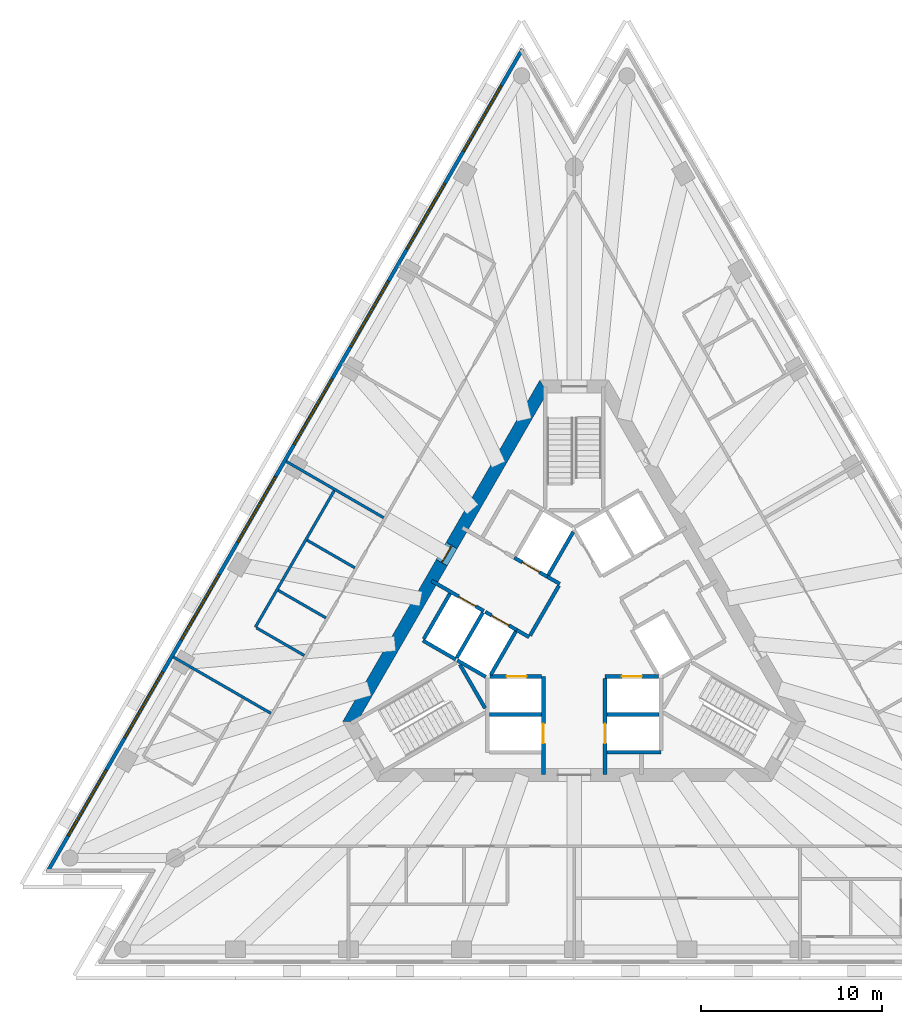
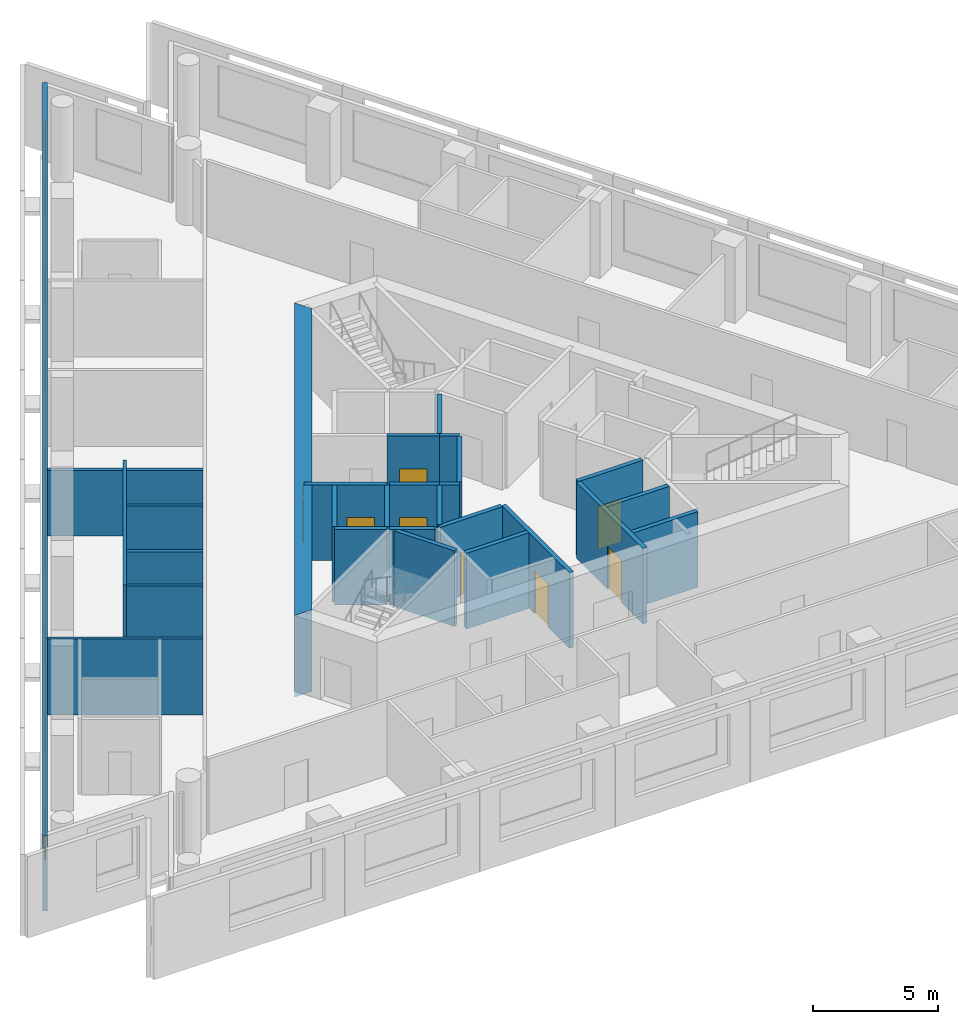
# One storey, part 4 of 10: 28 walls, 8 doors, 8 windows, 16 openings.
"""IFC4 building model written with IfcOpenShell, lengths in metres."""

from ifc_helpers import new_model, si_unit, direction, frame, frame_2d, origin, place, context, subcontext, project, spatial, polyline, rectangle, outline, extrude, material, layer, layer_set, layer_usage, type_object, element, fill, save


model = new_model("IFC4")

# Units and contexts
model_context = context("Model", 3, precision=1e-05, world=origin(), true_north=direction((0.0, 1.0)))
body_context = subcontext(model_context, "Body", "Model", "MODEL_VIEW")
ifc_project = project(units=[si_unit("LENGTHUNIT", "METRE"), si_unit("AREAUNIT", "SQUARE_METRE"), si_unit("VOLUMEUNIT", "CUBIC_METRE"), si_unit("PLANEANGLEUNIT", "RADIAN"), si_unit("MASSUNIT", "GRAM", prefix="KILO")], contexts=[model_context])

# Site, building, storey
site_placement = place(None, origin())
site = spatial("IfcSite", under=ifc_project, at=site_placement, CompositionType="ELEMENT")
building_placement = place(site_placement, origin())
building = spatial("IfcBuilding", under=site, at=building_placement, Name="Triada Interchange Tower", CompositionType="ELEMENT")
storey_placement = place(building_placement, frame((0.0, 0.0, 191.300048828125)))
storey = spatial("IfcBuildingStorey", under=building, at=storey_placement, Name="L44", CompositionType="ELEMENT", Elevation=191.300048828125)

# Walls
ifc_material_1 = material(Name="Concrete C30/37", Category="concrete")
ifc_layer_1 = layer(ifc_material_1, 0.199951171875)
ifc_layer_set_1 = layer_set([ifc_layer_1], Name="CORE WALL 200 EI 120")
wall_type_1 = type_object("IfcWallType", Name="CORE WALL 200 EI 120", PredefinedType="SOLIDWALL", material=ifc_layer_set_1)
wall_1_placement = place(storey_placement, frame((-8.3759765625, -0.70703125, 0.0), z_axis=(0.0, 0.0, 1.0), x_axis=(0.866067520717, -0.499927044236, 0.0)))
element("IfcWall", 1, at=wall_1_placement, inside=storey, type_object=wall_type_1, Name="Wall L44 44", PredefinedType="SOLIDWALL", context=body_context, shape_type="SweptSolid", body=[
    extrude(rectangle(XDim=2.100341796875, YDim=0.199951171875, at=frame_2d((1.05029296875, 0.0))), origin(), (0.0, 0.0, 1.0), 3.699951171875),
])
wall_2_placement = place(storey_placement, frame((-8.325927734375, -0.6201171875, 0.0), z_axis=(0.0, 0.0, 1.0), x_axis=(0.500023687443, 0.866011727401, 0.0)))
element("IfcWall", 2, at=wall_2_placement, inside=storey, type_object=wall_type_1, Name="Wall L44 45", PredefinedType="SOLIDWALL", context=body_context, shape_type="SweptSolid", body=[
    extrude(rectangle(XDim=2.899658203125, YDim=0.199951171875, at=frame_2d((1.44970703125, 0.0))), origin(), (0.0, 0.0, 1.0), 3.699951171875),
])
for number, where, z_axis, x_axis, name in (
    (3, (-4.699951171875, -4.800048828125, 0.0), (0.0, 0.0, 1.0), (1.0, 0.0, 0.0), "Wall L44 46"),
    (4, (1.800048828125, -4.800048828125, 0.0), (0.0, 0.0, 1.0), (1.0, 0.0, 0.0), "Wall L44 47"),
):
    element("IfcWall", number, at=place(storey_placement, frame(where, z_axis=z_axis, x_axis=x_axis)), inside=storey, type_object=wall_type_1, Name=name, PredefinedType="SOLIDWALL", context=body_context, shape_type="SweptSolid", body=[
        extrude(rectangle(XDim=2.89990234375, YDim=0.199951171875, at=frame_2d((1.449951171875, 0.0))), origin(), (0.0, 0.0, 1.0), 3.699951171875),
    ])
wall_3_placement = place(storey_placement, frame((1.800048828125, -6.89990234375, 0.0), z_axis=(0.0, 0.0, 1.0), x_axis=(1.0, 0.0, 0.0)))
element("IfcWall", 5, at=wall_3_placement, inside=storey, type_object=wall_type_1, Name="Wall L44 50", PredefinedType="SOLIDWALL", context=body_context, shape_type="SweptSolid", body=[
    extrude(rectangle(XDim=3.0, YDim=0.199951171875, at=frame_2d((1.5, 0.0))), origin(), (0.0, 0.0, 1.0), 3.699951171875),
])

# Wall, opening, door
wall_4_placement = place(storey_placement, frame((-1.699951171875, -8.1298828125, 0.0), z_axis=(0.0, 0.0, 1.0), x_axis=(0.0, 1.0, 0.0)))
wall_4 = element("IfcWall", 6, at=wall_4_placement, inside=storey, type_object=wall_type_1, Name="Wall L44 51", PredefinedType="SOLIDWALL", context=body_context, shape_type="SweptSolid", body=[
    extrude(rectangle(XDim=5.427001953125, YDim=0.199951171875, at=frame_2d((2.71337890625, 0.0))), origin(), (0.0, 0.0, 1.0), 3.699951171875),
])
opening_1_placement = place(wall_4_placement, frame((1.72998046875, 0.0, 0.0)))
opening_1 = element("IfcOpeningElement", 7, at=opening_1_placement, cuts=wall_4, Name="Opening LD-HR4", PredefinedType="OPENING", context=body_context, shape_type="SweptSolid", body=[
    extrude(rectangle(XDim=1.10009765625, YDim=2.10009765625, at=frame_2d((0.550048828125, 1.050048828125))), frame((0.0, 0.10986328125, 0.0), z_axis=(0.0, -1.0, 0.0), x_axis=(1.0, 0.0, 0.0)), (0.0, 0.0, 1.0), 0.219970703125),
])
ifc_material_2 = material(Name="Steel S235 door leaf", Category="steel")
door_type_1 = type_object("IfcDoorType", Name="LIFT LANDING DOOR 1100 EI 120", OperationType="SLIDING_TO_LEFT", PredefinedType="DOOR", material=ifc_material_2)
door_1_placement = place(opening_1_placement, origin())
door_1 = element("IfcDoor", 8, at=door_1_placement, inside=storey, type_object=door_type_1, Name="HR4 landing door L44", OperationType="SLIDING_TO_LEFT", OverallHeight=2.10009765625, OverallWidth=1.10009765625, PredefinedType="DOOR", context=body_context, shape_type="SweptSolid", body=[
    extrude(rectangle(XDim=1.10009765625, YDim=2.10009765625, at=frame_2d((0.550048828125, 1.050048828125))), frame((0.0, 0.02490234375, 0.0), z_axis=(0.0, -1.0, 0.0), x_axis=(1.0, 0.0, 0.0)), (0.0, 0.0, 1.0), 0.050048828125),
])
fill(opening_1, door_1)

wall_5_placement = place(storey_placement, frame((-4.676025390625, -2.699951171875, 0.0), z_axis=(0.0, 0.0, 1.0), x_axis=(1.0, 0.0, 0.0)))
wall_5 = element("IfcWall", 9, at=wall_5_placement, inside=storey, type_object=wall_type_1, Name="Wall L44 52", PredefinedType="SOLIDWALL", context=body_context, shape_type="SweptSolid", body=[
    extrude(rectangle(XDim=2.873046875, YDim=0.199951171875, at=frame_2d((1.4365234375, 0.0))), origin(), (0.0, 0.0, 1.0), 3.699951171875),
])
opening_2_placement = place(wall_5_placement, frame((0.93701171875, 0.0, 0.0)))
opening_2 = element("IfcOpeningElement", 10, at=opening_2_placement, cuts=wall_5, Name="Opening LD-HR3", PredefinedType="OPENING", context=body_context, shape_type="SweptSolid", body=[
    extrude(rectangle(XDim=1.10009765625, YDim=2.10009765625, at=frame_2d((0.550048828125, 1.050048828125))), frame((0.0, 0.10986328125, 0.0), z_axis=(0.0, -1.0, 0.0), x_axis=(1.0, 0.0, 0.0)), (0.0, 0.0, 1.0), 0.219970703125),
])
door_2_placement = place(opening_2_placement, origin())
door_2 = element("IfcDoor", 11, at=door_2_placement, inside=storey, type_object=door_type_1, Name="HR3 landing door L44", OperationType="SLIDING_TO_LEFT", OverallHeight=2.10009765625, OverallWidth=1.10009765625, PredefinedType="DOOR", context=body_context, shape_type="SweptSolid", body=[
    extrude(rectangle(XDim=1.10009765625, YDim=2.10009765625, at=frame_2d((0.550048828125, 1.050048828125))), frame((0.0, 0.02490234375, 0.0), z_axis=(0.0, -1.0, 0.0), x_axis=(1.0, 0.0, 0.0)), (0.0, 0.0, 1.0), 0.050048828125),
])
fill(opening_2, door_2)

wall_6_placement = place(storey_placement, frame((1.702880859375, -2.699951171875, 0.0), z_axis=(0.0, 0.0, 1.0), x_axis=(1.0, 0.0, 0.0)))
wall_6 = element("IfcWall", 12, at=wall_6_placement, inside=storey, type_object=wall_type_1, Name="Wall L44 53", PredefinedType="SOLIDWALL", context=body_context, shape_type="SweptSolid", body=[
    extrude(rectangle(XDim=2.97314453125, YDim=0.199951171875, at=frame_2d((1.486572265625, 0.0))), origin(), (0.0, 0.0, 1.0), 3.699951171875),
])
opening_3_placement = place(wall_6_placement, frame((0.93603515625, 0.0, 0.0)))
opening_3 = element("IfcOpeningElement", 13, at=opening_3_placement, cuts=wall_6, Name="Opening LD-HR1", PredefinedType="OPENING", context=body_context, shape_type="SweptSolid", body=[
    extrude(rectangle(XDim=1.10009765625, YDim=2.10009765625, at=frame_2d((0.550048828125, 1.050048828125))), frame((0.0, 0.10986328125, 0.0), z_axis=(0.0, -1.0, 0.0), x_axis=(1.0, 0.0, 0.0)), (0.0, 0.0, 1.0), 0.219970703125),
])
door_3_placement = place(opening_3_placement, origin())
door_3 = element("IfcDoor", 14, at=door_3_placement, inside=storey, type_object=door_type_1, Name="HR1 landing door L44", OperationType="SLIDING_TO_LEFT", OverallHeight=2.10009765625, OverallWidth=1.10009765625, PredefinedType="DOOR", context=body_context, shape_type="SweptSolid", body=[
    extrude(rectangle(XDim=1.10009765625, YDim=2.10009765625, at=frame_2d((0.550048828125, 1.050048828125))), frame((0.0, 0.02490234375, 0.0), z_axis=(0.0, -1.0, 0.0), x_axis=(1.0, 0.0, 0.0)), (0.0, 0.0, 1.0), 0.050048828125),
])
fill(opening_3, door_3)

wall_7_placement = place(storey_placement, frame((1.699951171875, -8.1298828125, 0.0), z_axis=(0.0, 0.0, 1.0), x_axis=(0.0, 1.0, 0.0)))
wall_7 = element("IfcWall", 15, at=wall_7_placement, inside=storey, type_object=wall_type_1, Name="Wall L44 58", PredefinedType="SOLIDWALL", context=body_context, shape_type="SweptSolid", body=[
    extrude(rectangle(XDim=5.326904296875, YDim=0.199951171875, at=frame_2d((2.66357421875, 0.0))), origin(), (0.0, 0.0, 1.0), 3.699951171875),
])
opening_4_placement = place(wall_7_placement, frame((1.72998046875, 0.0, 0.0)))
opening_4 = element("IfcOpeningElement", 16, at=opening_4_placement, cuts=wall_7, Name="Opening LD-HR2", PredefinedType="OPENING", context=body_context, shape_type="SweptSolid", body=[
    extrude(rectangle(XDim=1.10009765625, YDim=2.10009765625, at=frame_2d((0.550048828125, 1.050048828125))), frame((0.0, 0.10986328125, 0.0), z_axis=(0.0, -1.0, 0.0), x_axis=(1.0, 0.0, 0.0)), (0.0, 0.0, 1.0), 0.219970703125),
])
door_4_placement = place(opening_4_placement, origin())
door_4 = element("IfcDoor", 17, at=door_4_placement, inside=storey, type_object=door_type_1, Name="HR2 landing door L44", OperationType="SLIDING_TO_LEFT", OverallHeight=2.10009765625, OverallWidth=1.10009765625, PredefinedType="DOOR", context=body_context, shape_type="SweptSolid", body=[
    extrude(rectangle(XDim=1.10009765625, YDim=2.10009765625, at=frame_2d((0.550048828125, 1.050048828125))), frame((0.0, 0.02490234375, 0.0), z_axis=(0.0, -1.0, 0.0), x_axis=(1.0, 0.0, 0.0)), (0.0, 0.0, 1.0), 0.050048828125),
])
fill(opening_4, door_4)

ifc_layer_2 = layer(ifc_material_1, 0.199951171875)
ifc_layer_set_2 = layer_set([ifc_layer_2], Name="CORE WALL 200 EI 180")
wall_type_2 = type_object("IfcWallType", Name="CORE WALL 200 EI 180", PredefinedType="SOLIDWALL", material=ifc_layer_set_2)
wall_8_placement = place(storey_placement, frame((-7.89111328125, 2.593017578125, 0.0), z_axis=(0.0, 0.0, 1.0), x_axis=(0.866070917804, -0.499921159118, 0.0)))
wall_8 = element("IfcWall", 18, at=wall_8_placement, inside=storey, type_object=wall_type_2, Name="Wall L44 69", PredefinedType="SOLIDWALL", context=body_context, shape_type="SweptSolid", body=[
    extrude(rectangle(XDim=3.33251953125, YDim=0.199951171875, at=frame_2d((1.666259765625, 0.0))), origin(), (0.0, 0.0, 1.0), 3.699951171875),
])
opening_5_placement = place(wall_8_placement, frame((1.72998046875, 0.0, 0.0)))
opening_5 = element("IfcOpeningElement", 19, at=opening_5_placement, cuts=wall_8, Name="Opening LD-SV1", PredefinedType="OPENING", context=body_context, shape_type="SweptSolid", body=[
    extrude(rectangle(XDim=1.10009765625, YDim=2.10009765625, at=frame_2d((0.550048828125, 1.050048828125))), frame((0.0, 0.10986328125, 0.0), z_axis=(0.0, -1.0, 0.0), x_axis=(1.0, 0.0, 0.0)), (0.0, 0.0, 1.0), 0.219970703125),
])
door_5_placement = place(opening_5_placement, origin())
door_5 = element("IfcDoor", 20, at=door_5_placement, inside=storey, type_object=door_type_1, Name="SV1 landing door L44", OperationType="SLIDING_TO_LEFT", OverallHeight=2.10009765625, OverallWidth=1.10009765625, PredefinedType="DOOR", context=body_context, shape_type="SweptSolid", body=[
    extrude(rectangle(XDim=1.10009765625, YDim=2.10009765625, at=frame_2d((0.550048828125, 1.050048828125))), frame((0.0, 0.02490234375, 0.0), z_axis=(0.0, -1.0, 0.0), x_axis=(1.0, 0.0, 0.0)), (0.0, 0.0, 1.0), 0.050048828125),
])
fill(opening_5, door_5)

# Walls
wall_9_placement = place(storey_placement, frame((-3.18798828125, -0.1220703125, 0.0), z_axis=(0.0, 0.0, 1.0), x_axis=(0.865705793592, -0.50055317294, 0.0)))
element("IfcWall", 21, at=wall_9_placement, inside=storey, type_object=wall_type_2, Name="Wall L44 70", PredefinedType="SOLIDWALL", context=body_context, shape_type="SweptSolid", body=[
    extrude(rectangle(XDim=0.796875, YDim=0.199951171875, at=frame_2d((0.3984375, 0.0))), origin(), (0.0, 0.0, 1.0), 3.699951171875),
])
wall_10_placement = place(storey_placement, frame((-1.488037109375, 2.822021484375, 0.0), z_axis=(0.0, 0.0, 1.0), x_axis=(0.866236612152, -0.499633997809, 0.0)))
element("IfcWall", 22, at=wall_10_placement, inside=storey, type_object=wall_type_2, Name="Wall L44 72", PredefinedType="SOLIDWALL", context=body_context, shape_type="SweptSolid", body=[
    extrude(rectangle(XDim=0.79638671875, YDim=0.199951171875, at=frame_2d((0.398193359375, 0.0))), origin(), (0.0, 0.0, 1.0), 3.699951171875),
])
wall_11_placement = place(storey_placement, frame((-2.444091796875, -0.43310546875, 0.0), z_axis=(0.0, 0.0, 1.0), x_axis=(0.500035624827, 0.866004834804, 0.0)))
element("IfcWall", 23, at=wall_11_placement, inside=storey, type_object=wall_type_2, Name="Wall L44 75", PredefinedType="SOLIDWALL", context=body_context, shape_type="SweptSolid", body=[
    extrude(rectangle(XDim=3.194091796875, YDim=0.199951171875, at=frame_2d((1.59716796875, 0.0))), origin(), (0.0, 0.0, 1.0), 3.699951171875),
])
wall_12_placement = place(storey_placement, frame((-6.507080078125, -1.669921875, 0.0), z_axis=(0.0, 0.0, 1.0), x_axis=(0.50012328804, 0.865954211699, 0.0)))
element("IfcWall", 24, at=wall_12_placement, inside=storey, type_object=wall_type_2, Name="Shaft wall FF1 L44 76", PredefinedType="SOLIDWALL", context=body_context, shape_type="SweptSolid", body=[
    extrude(rectangle(XDim=2.899658203125, YDim=0.199951171875, at=frame_2d((1.44970703125, 0.0))), origin(), (0.0, 0.0, 1.0), 3.699951171875),
])
wall_13_placement = place(storey_placement, frame((-6.469970703125, -1.806884765625, 0.0), z_axis=(0.0, 0.0, 1.0), x_axis=(0.865883195159, -0.500246231712, 0.0)))
element("IfcWall", 25, at=wall_13_placement, inside=storey, type_object=wall_type_2, Name="Shaft wall FF1 L44 77", PredefinedType="SOLIDWALL", context=body_context, shape_type="SweptSolid", body=[
    extrude(rectangle(XDim=1.8154296875, YDim=0.199951171875, at=frame_2d((0.90771484375, 0.0))), origin(), (0.0, 0.0, 1.0), 3.699951171875),
])

# Wall, opening, door
wall_14_placement = place(storey_placement, frame((-4.922119140625, 0.87890625, 0.0), z_axis=(0.0, 0.0, 1.0), x_axis=(0.866073918653, -0.499915960366, 0.0)))
wall_14 = element("IfcWall", 26, at=wall_14_placement, inside=storey, type_object=wall_type_2, Name="Shaft wall FF1 L44 78", PredefinedType="SOLIDWALL", context=body_context, shape_type="SweptSolid", body=[
    extrude(rectangle(XDim=2.002197265625, YDim=0.199951171875, at=frame_2d((1.0009765625, 0.0))), origin(), (0.0, 0.0, 1.0), 3.699951171875),
])
opening_6_placement = place(wall_14_placement, frame((0.402099609375, 0.0, 0.0)))
opening_6 = element("IfcOpeningElement", 27, at=opening_6_placement, cuts=wall_14, Name="Opening LD-FF1", PredefinedType="OPENING", context=body_context, shape_type="SweptSolid", body=[
    extrude(rectangle(XDim=1.10009765625, YDim=2.10009765625, at=frame_2d((0.550048828125, 1.050048828125))), frame((0.0, 0.10986328125, 0.0), z_axis=(0.0, -1.0, 0.0), x_axis=(1.0, 0.0, 0.0)), (0.0, 0.0, 1.0), 0.219970703125),
])
door_6_placement = place(opening_6_placement, origin())
door_6 = element("IfcDoor", 28, at=door_6_placement, inside=storey, type_object=door_type_1, Name="FF1 landing door L44", OperationType="SLIDING_TO_LEFT", OverallHeight=2.10009765625, OverallWidth=1.10009765625, PredefinedType="DOOR", context=body_context, shape_type="SweptSolid", body=[
    extrude(rectangle(XDim=1.10009765625, YDim=2.10009765625, at=frame_2d((0.550048828125, 1.050048828125))), frame((0.0, 0.02490234375, 0.0), z_axis=(0.0, -1.0, 0.0), x_axis=(1.0, 0.0, 0.0)), (0.0, 0.0, 1.0), 0.050048828125),
])
fill(opening_6, door_6)

# Wall
wall_15_placement = place(storey_placement, frame((-4.618896484375, -2.60009765625, 0.0), z_axis=(0.0, 0.0, 1.0), x_axis=(0.50009492287, 0.865970593103, 0.0)))
element("IfcWall", 29, at=wall_15_placement, inside=storey, type_object=wall_type_2, Name="Shaft wall FF1 L44 79", PredefinedType="SOLIDWALL", context=body_context, shape_type="SweptSolid", body=[
    extrude(rectangle(XDim=2.76123046875, YDim=0.199951171875, at=frame_2d((1.380615234375, 0.0))), origin(), (0.0, 0.0, 1.0), 3.699951171875),
])

# Wall, opening, door
wall_16_placement = place(storey_placement, frame((-3.30908203125, 3.873046875, 0.0), z_axis=(0.0, 0.0, 1.0), x_axis=(0.866098583652, -0.499873227325, 0.0)))
wall_16 = element("IfcWall", 30, at=wall_16_placement, inside=storey, type_object=wall_type_2, Name="Shaft wall FF2 L44 80", PredefinedType="SOLIDWALL", context=body_context, shape_type="SweptSolid", body=[
    extrude(rectangle(XDim=2.1025390625, YDim=0.199951171875, at=frame_2d((1.05126953125, 0.0))), origin(), (0.0, 0.0, 1.0), 3.699951171875),
])
opening_7_placement = place(wall_16_placement, frame((0.501953125, 0.0, 0.0)))
opening_7 = element("IfcOpeningElement", 31, at=opening_7_placement, cuts=wall_16, Name="Opening LD-FF2", PredefinedType="OPENING", context=body_context, shape_type="SweptSolid", body=[
    extrude(rectangle(XDim=1.10009765625, YDim=2.10009765625, at=frame_2d((0.550048828125, 1.050048828125))), frame((0.0, 0.10986328125, 0.0), z_axis=(0.0, -1.0, 0.0), x_axis=(1.0, 0.0, 0.0)), (0.0, 0.0, 1.0), 0.219970703125),
])
door_7_placement = place(opening_7_placement, origin())
door_7 = element("IfcDoor", 32, at=door_7_placement, inside=storey, type_object=door_type_1, Name="FF2 landing door L44", OperationType="SLIDING_TO_LEFT", OverallHeight=2.10009765625, OverallWidth=1.10009765625, PredefinedType="DOOR", context=body_context, shape_type="SweptSolid", body=[
    extrude(rectangle(XDim=1.10009765625, YDim=2.10009765625, at=frame_2d((0.550048828125, 1.050048828125))), frame((0.0, 0.02490234375, 0.0), z_axis=(0.0, -1.0, 0.0), x_axis=(1.0, 0.0, 0.0)), (0.0, 0.0, 1.0), 0.050048828125),
])
fill(opening_7, door_7)

# Walls
wall_17_placement = place(storey_placement, frame((-1.43798828125, 2.908935546875, 0.0), z_axis=(0.0, 0.0, 1.0), x_axis=(0.499829630636, 0.866123744241, 0.0)))
element("IfcWall", 33, at=wall_17_placement, inside=storey, type_object=wall_type_2, Name="Shaft wall FF2 L44 83", PredefinedType="SOLIDWALL", context=body_context, shape_type="SweptSolid", body=[
    extrude(rectangle(XDim=2.7607421875, YDim=0.199951171875, at=frame_2d((1.38037109375, 0.0))), origin(), (0.0, 0.0, 1.0), 3.699951171875),
])
ifc_layer_3 = layer(ifc_material_1, 0.199951171875)
ifc_layer_set_3 = layer_set([ifc_layer_3], Name="CORE WALL 200 REI 240")
wall_type_3 = type_object("IfcWallType", Name="CORE WALL 200 REI 240", PredefinedType="SOLIDWALL", material=ifc_layer_set_3)
wall_18_placement = place(storey_placement, frame((-6.3291015625, -2.0380859375, 0.0), z_axis=(0.0, 0.0, 1.0), x_axis=(0.500200581029, -0.865909567298, 0.0)))
element("IfcWall", 34, at=wall_18_placement, inside=storey, type_object=wall_type_3, Name="Wall L44 89", PredefinedType="SOLIDWALL", context=body_context, shape_type="SweptSolid", body=[
    extrude(rectangle(XDim=2.799072265625, YDim=0.199951171875, at=frame_2d((1.3994140625, 0.0))), origin(), (0.0, 0.0, 1.0), 3.699951171875),
])

# Wall, opening, door
ifc_material_3 = material(Name="Concrete C50/60", Category="concrete")
ifc_layer_4 = layer(ifc_material_3, 0.699951171875)
ifc_layer_set_4 = layer_set([ifc_layer_4], Name="Core wall C 700")
wall_type_4 = type_object("IfcWallType", Name="Core wall C 700", PredefinedType="SHEAR", material=ifc_layer_set_4)
wall_19_placement = place(storey_placement, frame((-1.702880859375, 13.35009765625, -0.300048828125), z_axis=(0.0, 0.0, 1.0), x_axis=(-0.500011533395, -0.866018744874, 0.0)))
wall_19 = element("IfcWall", 35, at=wall_19_placement, inside=storey, type_object=wall_type_4, Name="Core wall WC02 L44", PredefinedType="SHEAR", context=body_context, shape_type="SweptSolid", body=[
    extrude(outline(polyline([(-0.201904296875, -0.35009765625), (1.781982421875, -0.35009765625), (3.76611328125, -0.35009765625), (5.75, -0.35009765625), (7.734130859375, -0.35009765625), (9.718017578125, -0.35009765625), (11.7021484375, -0.35009765625), (13.68603515625, -0.35009765625), (15.670166015625, -0.35009765625), (17.654052734375, -0.35009765625), (19.63818359375, -0.35009765625), (21.6220703125, -0.35009765625), (21.218017578125, 0.35009765625), (19.307373046875, 0.35009765625), (17.39697265625, 0.35009765625), (15.486328125, 0.35009765625), (13.57568359375, 0.35009765625), (11.665283203125, 0.35009765625), (9.754638671875, 0.35009765625), (7.84423828125, 0.35009765625), (5.93359375, 0.35009765625), (4.02294921875, 0.35009765625), (2.112548828125, 0.35009765625), (0.201904296875, 0.35009765625), (-0.201904296875, -0.35009765625)])), origin(), (0.0, 0.0, 1.0), 4.0),
])
opening_8_placement = place(wall_19_placement, frame((10.159912109375, 0.0, 0.300048828125)))
opening_8 = element("IfcOpeningElement", 36, at=opening_8_placement, cuts=wall_19, Name="Opening D44-43", PredefinedType="OPENING", context=body_context, shape_type="SweptSolid", body=[
    extrude(rectangle(XDim=1.10009765625, YDim=2.10009765625, at=frame_2d((0.550048828125, 1.050048828125))), frame((0.0, 0.360107421875, 0.0), z_axis=(0.0, -1.0, 0.0), x_axis=(1.0, 0.0, 0.0)), (0.0, 0.0, 1.0), 0.72021484375),
])
door_type_2 = type_object("IfcDoorType", Name="FIRE LOBBY DOOR 1100 EI2 90-C5S200", OperationType="NOTDEFINED", PredefinedType="DOOR", material=ifc_material_2)
door_8_placement = place(opening_8_placement, origin())
door_8 = element("IfcDoor", 37, at=door_8_placement, inside=storey, type_object=door_type_2, Name="Door D44-43 L44", OperationType="SINGLE_SWING_RIGHT", OverallHeight=2.10009765625, OverallWidth=1.10009765625, PredefinedType="DOOR", context=body_context, shape_type="SweptSolid", body=[
    extrude(rectangle(XDim=1.10009765625, YDim=2.10009765625, at=frame_2d((0.550048828125, 1.050048828125))), frame((0.0, 0.02490234375, 0.0), z_axis=(0.0, -1.0, 0.0), x_axis=(1.0, 0.0, 0.0)), (0.0, 0.0, 1.0), 0.050048828125),
])
fill(opening_8, door_8)

# Wall, openings, windows
ifc_material_4 = material(Name="Cement board")
ifc_layer_5 = layer(ifc_material_4, 0.02001953125, Name="Cement board cladding")
ifc_material_5 = material(Name="Sheathing board")
ifc_layer_6 = layer(ifc_material_5, 0.014892578125, Name="Sheathing board")
ifc_material_6 = material(Name="Mineral wool")
ifc_layer_7 = layer(ifc_material_6, 0.14990234375, Name="Mineral wool between steel studs")
ifc_material_7 = material(Name="Gypsum board")
ifc_layer_8 = layer(ifc_material_7, 0.014892578125, Name="Plasterboard lining")
ifc_layer_set_5 = layer_set([ifc_layer_5, ifc_layer_6, ifc_layer_7, ifc_layer_8], Name="External wall 200")
ifc_layer_usage = layer_usage(ifc_layer_set_5, "AXIS2", "POSITIVE", -0.10009765625)
wall_type_5 = type_object("IfcWallType", Name="External wall 200", PredefinedType="ELEMENTEDWALL", material=ifc_layer_set_5)
wall_20_placement = place(storey_placement, frame((-2.868896484375, 32.02001953125, 0.0), z_axis=(0.0, 0.0, 1.0), x_axis=(-0.500006930241, -0.866021402571, 0.0)))
wall_20 = element("IfcWall", 38, at=wall_20_placement, inside=storey, type_object=wall_type_5, material=ifc_layer_usage, Name="External wall L44 NW", PredefinedType="ELEMENTEDWALL", context=body_context, shape_type="SweptSolid", body=[
    extrude(rectangle(XDim=52.571533203125, YDim=0.199951171875, at=frame_2d((26.28564453125, 0.0))), origin(), (0.0, 0.0, 1.0), 3.699951171875),
])
opening_9_placement = place(wall_20_placement, frame((2.326904296875, 0.0, 0.89990234375)))
opening_9 = element("IfcOpeningElement", 39, at=opening_9_placement, cuts=wall_20, Name="Opening WC01", PredefinedType="OPENING", context=body_context, shape_type="SweptSolid", body=[
    extrude(rectangle(XDim=4.199951171875, YDim=2.5, at=frame_2d((2.10009765625, 1.25))), frame((0.0, 0.10986328125, 0.0), z_axis=(0.0, -1.0, 0.0), x_axis=(1.0, 0.0, 0.0)), (0.0, 0.0, 1.0), 0.219970703125),
])
opening_10_placement = place(wall_20_placement, frame((8.574951171875, 0.0, 0.89990234375)))
opening_10 = element("IfcOpeningElement", 40, at=opening_10_placement, cuts=wall_20, Name="Opening WC02", PredefinedType="OPENING", context=body_context, shape_type="SweptSolid", body=[
    extrude(rectangle(XDim=4.199951171875, YDim=2.5, at=frame_2d((2.10009765625, 1.25))), frame((0.0, 0.10986328125, 0.0), z_axis=(0.0, -1.0, 0.0), x_axis=(1.0, 0.0, 0.0)), (0.0, 0.0, 1.0), 0.219970703125),
])
opening_11_placement = place(wall_20_placement, frame((14.822998046875, 0.0, 0.89990234375)))
opening_11 = element("IfcOpeningElement", 41, at=opening_11_placement, cuts=wall_20, Name="Opening WC03", PredefinedType="OPENING", context=body_context, shape_type="SweptSolid", body=[
    extrude(rectangle(XDim=4.199951171875, YDim=2.5, at=frame_2d((2.10009765625, 1.25))), frame((0.0, 0.10986328125, 0.0), z_axis=(0.0, -1.0, 0.0), x_axis=(1.0, 0.0, 0.0)), (0.0, 0.0, 1.0), 0.219970703125),
])
opening_12_placement = place(wall_20_placement, frame((21.071044921875, 0.0, 0.89990234375)))
opening_12 = element("IfcOpeningElement", 42, at=opening_12_placement, cuts=wall_20, Name="Opening WC04", PredefinedType="OPENING", context=body_context, shape_type="SweptSolid", body=[
    extrude(rectangle(XDim=4.199951171875, YDim=2.5, at=frame_2d((2.10009765625, 1.25))), frame((0.0, 0.10986328125, 0.0), z_axis=(0.0, -1.0, 0.0), x_axis=(1.0, 0.0, 0.0)), (0.0, 0.0, 1.0), 0.219970703125),
])
opening_13_placement = place(wall_20_placement, frame((27.319091796875, 0.0, 0.89990234375)))
opening_13 = element("IfcOpeningElement", 43, at=opening_13_placement, cuts=wall_20, Name="Opening WC05", PredefinedType="OPENING", context=body_context, shape_type="SweptSolid", body=[
    extrude(rectangle(XDim=4.199951171875, YDim=2.5, at=frame_2d((2.10009765625, 1.25))), frame((0.0, 0.10986328125, 0.0), z_axis=(0.0, -1.0, 0.0), x_axis=(1.0, 0.0, 0.0)), (0.0, 0.0, 1.0), 0.219970703125),
])
opening_14_placement = place(wall_20_placement, frame((33.568115234375, 0.0, 0.89990234375)))
opening_14 = element("IfcOpeningElement", 44, at=opening_14_placement, cuts=wall_20, Name="Opening WC06", PredefinedType="OPENING", context=body_context, shape_type="SweptSolid", body=[
    extrude(rectangle(XDim=4.199951171875, YDim=2.5, at=frame_2d((2.10009765625, 1.25))), frame((0.0, 0.10986328125, 0.0), z_axis=(0.0, -1.0, 0.0), x_axis=(1.0, 0.0, 0.0)), (0.0, 0.0, 1.0), 0.219970703125),
])
opening_15_placement = place(wall_20_placement, frame((39.81591796875, 0.0, 0.89990234375)))
opening_15 = element("IfcOpeningElement", 45, at=opening_15_placement, cuts=wall_20, Name="Opening WC07", PredefinedType="OPENING", context=body_context, shape_type="SweptSolid", body=[
    extrude(rectangle(XDim=4.199951171875, YDim=2.5, at=frame_2d((2.10009765625, 1.25))), frame((0.0, 0.10986328125, 0.0), z_axis=(0.0, -1.0, 0.0), x_axis=(1.0, 0.0, 0.0)), (0.0, 0.0, 1.0), 0.219970703125),
])
opening_16_placement = place(wall_20_placement, frame((46.06396484375, 0.0, 0.89990234375)))
opening_16 = element("IfcOpeningElement", 46, at=opening_16_placement, cuts=wall_20, Name="Opening WC08", PredefinedType="OPENING", context=body_context, shape_type="SweptSolid", body=[
    extrude(rectangle(XDim=4.199951171875, YDim=2.5, at=frame_2d((2.10009765625, 1.25))), frame((0.0, 0.10986328125, 0.0), z_axis=(0.0, -1.0, 0.0), x_axis=(1.0, 0.0, 0.0)), (0.0, 0.0, 1.0), 0.219970703125),
])
ifc_material_8 = material(Name="Double glazed aluminium window", Category="aluminium")
window_type = type_object("IfcWindowType", Name="Ribbon window C face", PartitioningType="SINGLE_PANEL", PredefinedType="WINDOW", material=ifc_material_8)
window_1_placement = place(opening_9_placement, origin())
window_1 = element("IfcWindow", 47, at=window_1_placement, inside=storey, type_object=window_type, Name="Window L44 NW 1", OverallHeight=2.5, OverallWidth=4.199951171875, PartitioningType="SINGLE_PANEL", PredefinedType="WINDOW", context=body_context, shape_type="SweptSolid", body=[
    extrude(rectangle(XDim=4.199951171875, YDim=2.5, at=frame_2d((2.10009765625, 1.25))), frame((0.0, 0.030029296875, 0.0), z_axis=(0.0, -1.0, 0.0), x_axis=(1.0, 0.0, 0.0)), (0.0, 0.0, 1.0), 0.06005859375),
])
fill(opening_9, window_1)
window_2_placement = place(opening_10_placement, origin())
window_2 = element("IfcWindow", 48, at=window_2_placement, inside=storey, type_object=window_type, Name="Window L44 NW 2", OverallHeight=2.5, OverallWidth=4.199951171875, PartitioningType="SINGLE_PANEL", PredefinedType="WINDOW", context=body_context, shape_type="SweptSolid", body=[
    extrude(rectangle(XDim=4.199951171875, YDim=2.5, at=frame_2d((2.10009765625, 1.25))), frame((0.0, 0.030029296875, 0.0), z_axis=(0.0, -1.0, 0.0), x_axis=(1.0, 0.0, 0.0)), (0.0, 0.0, 1.0), 0.06005859375),
])
fill(opening_10, window_2)
window_3_placement = place(opening_11_placement, origin())
window_3 = element("IfcWindow", 49, at=window_3_placement, inside=storey, type_object=window_type, Name="Window L44 NW 3", OverallHeight=2.5, OverallWidth=4.199951171875, PartitioningType="SINGLE_PANEL", PredefinedType="WINDOW", context=body_context, shape_type="SweptSolid", body=[
    extrude(rectangle(XDim=4.199951171875, YDim=2.5, at=frame_2d((2.10009765625, 1.25))), frame((0.0, 0.030029296875, 0.0), z_axis=(0.0, -1.0, 0.0), x_axis=(1.0, 0.0, 0.0)), (0.0, 0.0, 1.0), 0.06005859375),
])
fill(opening_11, window_3)
window_4_placement = place(opening_12_placement, origin())
window_4 = element("IfcWindow", 50, at=window_4_placement, inside=storey, type_object=window_type, Name="Window L44 NW 4", OverallHeight=2.5, OverallWidth=4.199951171875, PartitioningType="SINGLE_PANEL", PredefinedType="WINDOW", context=body_context, shape_type="SweptSolid", body=[
    extrude(rectangle(XDim=4.199951171875, YDim=2.5, at=frame_2d((2.10009765625, 1.25))), frame((0.0, 0.030029296875, 0.0), z_axis=(0.0, -1.0, 0.0), x_axis=(1.0, 0.0, 0.0)), (0.0, 0.0, 1.0), 0.06005859375),
])
fill(opening_12, window_4)
window_5_placement = place(opening_13_placement, origin())
window_5 = element("IfcWindow", 51, at=window_5_placement, inside=storey, type_object=window_type, Name="Window L44 NW 5", OverallHeight=2.5, OverallWidth=4.199951171875, PartitioningType="SINGLE_PANEL", PredefinedType="WINDOW", context=body_context, shape_type="SweptSolid", body=[
    extrude(rectangle(XDim=4.199951171875, YDim=2.5, at=frame_2d((2.10009765625, 1.25))), frame((0.0, 0.030029296875, 0.0), z_axis=(0.0, -1.0, 0.0), x_axis=(1.0, 0.0, 0.0)), (0.0, 0.0, 1.0), 0.06005859375),
])
fill(opening_13, window_5)
window_6_placement = place(opening_14_placement, origin())
window_6 = element("IfcWindow", 52, at=window_6_placement, inside=storey, type_object=window_type, Name="Window L44 NW 6", OverallHeight=2.5, OverallWidth=4.199951171875, PartitioningType="SINGLE_PANEL", PredefinedType="WINDOW", context=body_context, shape_type="SweptSolid", body=[
    extrude(rectangle(XDim=4.199951171875, YDim=2.5, at=frame_2d((2.10009765625, 1.25))), frame((0.0, 0.030029296875, 0.0), z_axis=(0.0, -1.0, 0.0), x_axis=(1.0, 0.0, 0.0)), (0.0, 0.0, 1.0), 0.06005859375),
])
fill(opening_14, window_6)
window_7_placement = place(opening_15_placement, origin())
window_7 = element("IfcWindow", 53, at=window_7_placement, inside=storey, type_object=window_type, Name="Window L44 NW 7", OverallHeight=2.5, OverallWidth=4.199951171875, PartitioningType="SINGLE_PANEL", PredefinedType="WINDOW", context=body_context, shape_type="SweptSolid", body=[
    extrude(rectangle(XDim=4.199951171875, YDim=2.5, at=frame_2d((2.10009765625, 1.25))), frame((0.0, 0.030029296875, 0.0), z_axis=(0.0, -1.0, 0.0), x_axis=(1.0, 0.0, 0.0)), (0.0, 0.0, 1.0), 0.06005859375),
])
fill(opening_15, window_7)
window_8_placement = place(opening_16_placement, origin())
window_8 = element("IfcWindow", 54, at=window_8_placement, inside=storey, type_object=window_type, Name="Window L44 NW 8", OverallHeight=2.5, OverallWidth=4.199951171875, PartitioningType="SINGLE_PANEL", PredefinedType="WINDOW", context=body_context, shape_type="SweptSolid", body=[
    extrude(rectangle(XDim=4.199951171875, YDim=2.5, at=frame_2d((2.10009765625, 1.25))), frame((0.0, 0.030029296875, 0.0), z_axis=(0.0, -1.0, 0.0), x_axis=(1.0, 0.0, 0.0)), (0.0, 0.0, 1.0), 0.06005859375),
])
fill(opening_16, window_8)

# Walls
ifc_material_9 = material(Name="Gypsum board partition")
ifc_layer_9 = layer(ifc_material_9, 0.14990234375)
ifc_layer_set_6 = layer_set([ifc_layer_9], Name="PARTITION 150 EI 180")
wall_type_6 = type_object("IfcWallType", Name="PARTITION 150 EI 180", PredefinedType="PARTITIONING", material=ifc_layer_set_6)
wall_21_placement = place(storey_placement, frame((-22.196044921875, -1.614990234375, 0.0), z_axis=(0.0, 0.0, 1.0), x_axis=(0.86601944389, -0.500010322698, 0.0)))
element("IfcWall", 55, at=wall_21_placement, inside=storey, type_object=wall_type_6, Name="Wall L44 3", PredefinedType="PARTITIONING", context=body_context, shape_type="SweptSolid", body=[
    extrude(rectangle(XDim=6.239990234375, YDim=0.14990234375, at=frame_2d((3.1201171875, 0.0))), origin(), (0.0, 0.0, 1.0), 3.699951171875),
])
wall_22_placement = place(storey_placement, frame((-17.64794921875, 0.029052734375, 0.0), z_axis=(0.0, 0.0, 1.0), x_axis=(0.500054279689, 0.865994063124, 0.0)))
element("IfcWall", 56, at=wall_22_placement, inside=storey, type_object=wall_type_6, Name="Wall L44 6", PredefinedType="PARTITIONING", context=body_context, shape_type="SweptSolid", body=[
    extrude(rectangle(XDim=8.72509765625, YDim=0.14990234375, at=frame_2d((4.362548828125, 0.0))), origin(), (0.0, 0.0, 1.0), 3.699951171875),
])
for number, where, z_axis, x_axis, name in (
    (57, (-17.5830078125, -0.009033203125, 0.0), (0.0, 0.0, 1.0), (0.866056215479, -0.499946628782, 0.0), "Wall L44 7"),
    (58, (-16.383056640625, 2.069091796875, 0.0), (0.0, 0.0, 1.0), (0.866180252056, -0.499731698962, 0.0), "Wall L44 8"),
):
    element("IfcWall", number, at=place(storey_placement, frame(where, z_axis=z_axis, x_axis=x_axis)), inside=storey, type_object=wall_type_6, Name=name, PredefinedType="PARTITIONING", context=body_context, shape_type="SweptSolid", body=[
        extrude(rectangle(XDim=3.048095703125, YDim=0.14990234375, at=frame_2d((1.52392578125, 0.0))), origin(), (0.0, 0.0, 1.0), 3.699951171875),
    ])
wall_23_placement = place(storey_placement, frame((-15.947021484375, 9.2080078125, 0.0), z_axis=(0.0, 0.0, 1.0), x_axis=(0.86601944389, -0.500010322698, 0.0)))
element("IfcWall", 59, at=wall_23_placement, inside=storey, type_object=wall_type_6, Name="Wall L44 9", PredefinedType="PARTITIONING", context=body_context, shape_type="SweptSolid", body=[
    extrude(rectangle(XDim=6.239990234375, YDim=0.14990234375, at=frame_2d((3.1201171875, 0.0))), origin(), (0.0, 0.0, 1.0), 3.199951171875),
])
wall_24_placement = place(storey_placement, frame((-14.782958984375, 4.841064453125, 0.0), z_axis=(0.0, 0.0, 1.0), x_axis=(0.866021535541, -0.500006699934, 0.0)))
element("IfcWall", 60, at=wall_24_placement, inside=storey, type_object=wall_type_6, Name="Wall L44 11", PredefinedType="PARTITIONING", context=body_context, shape_type="SweptSolid", body=[
    extrude(rectangle(XDim=3.04833984375, YDim=0.14990234375, at=frame_2d((1.524169921875, 0.0))), origin(), (0.0, 0.0, 1.0), 3.699951171875),
])

save(model, "model.ifc")
